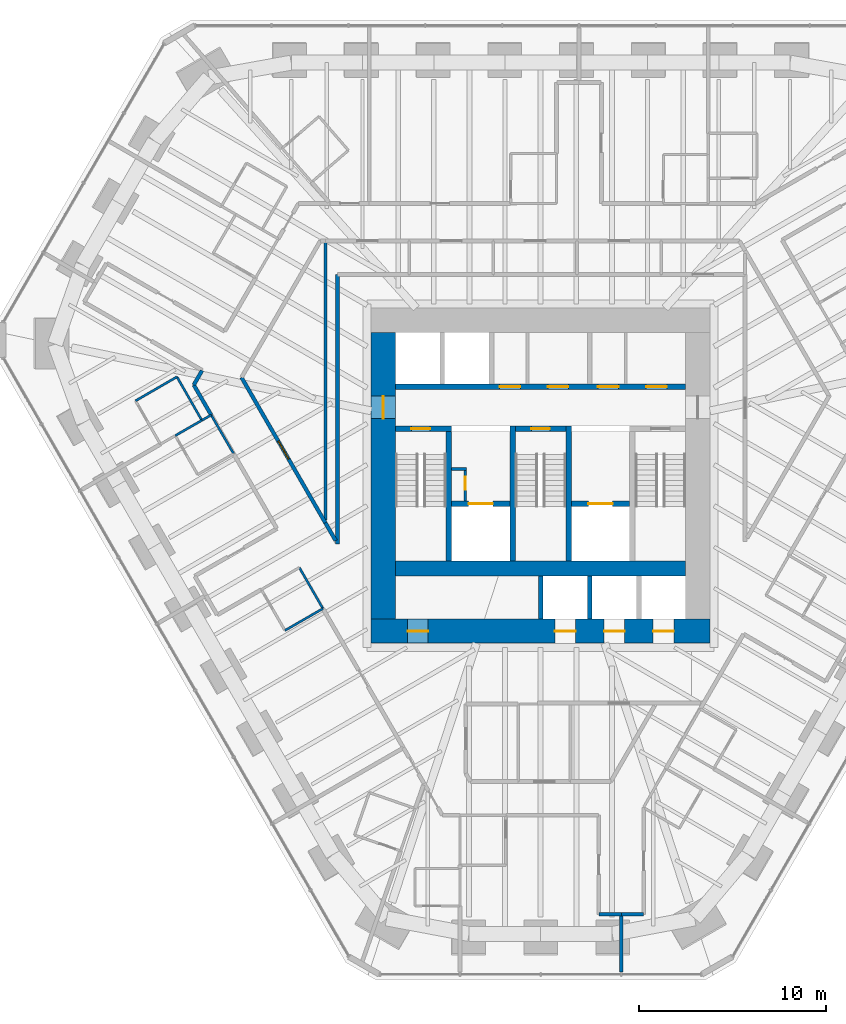
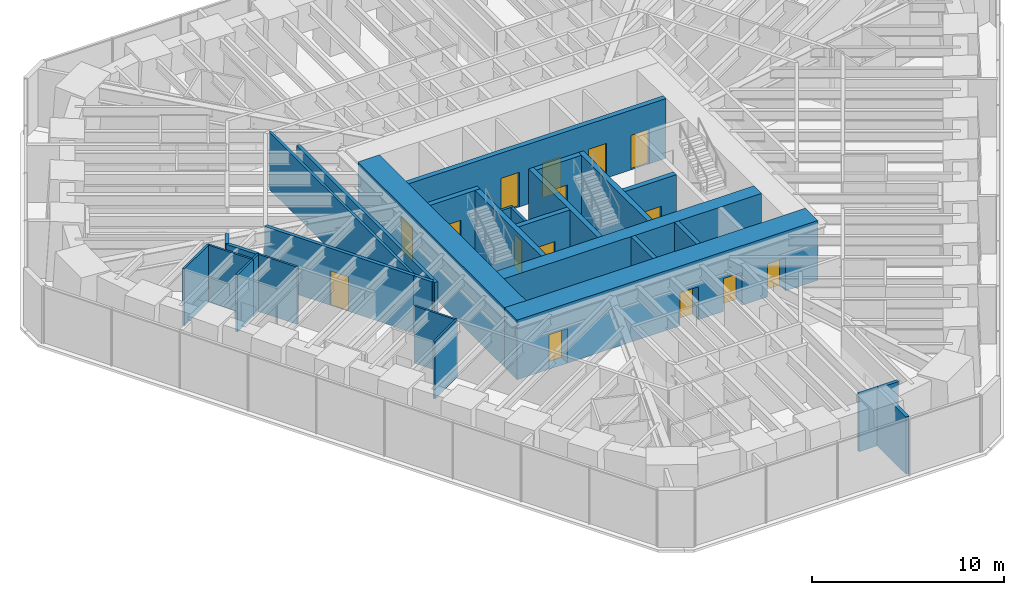
# One storey, part 12 of 17: 31 walls, 15 doors, 15 openings.
"""IFC4 building model written with IfcOpenShell, lengths in metres."""

from ifc_helpers import new_model, si_unit, direction, frame, frame_2d, origin, place, context, subcontext, project, spatial, rectangle, extrude, material, layer, layer_set, type_object, element, fill, save


model = new_model("IFC4")

# Units and contexts
model_context = context("Model", 3, precision=1e-05, world=origin(), true_north=direction((0.0, 1.0)))
body_context = subcontext(model_context, "Body", "Model", "MODEL_VIEW")
ifc_project = project(units=[si_unit("LENGTHUNIT", "METRE"), si_unit("AREAUNIT", "SQUARE_METRE"), si_unit("VOLUMEUNIT", "CUBIC_METRE"), si_unit("PLANEANGLEUNIT", "RADIAN"), si_unit("MASSUNIT", "GRAM", prefix="KILO")], contexts=[model_context])

# Site, building, storey
site_placement = place(None, origin())
site = spatial("IfcSite", under=ifc_project, at=site_placement, CompositionType="ELEMENT")
building_placement = place(site_placement, origin())
building = spatial("IfcBuilding", under=site, at=building_placement, Name="Sandreach Pilgrim Tower", CompositionType="ELEMENT")
storey_placement = place(building_placement, frame((0.0, 0.0, 161.39990234375)))
storey = spatial("IfcBuildingStorey", under=building, at=storey_placement, Name="L40", CompositionType="ELEMENT", Elevation=161.39990234375)

# Walls
ifc_material_1 = material(Name="Gypsum board on steel studs", Category="steel")
ifc_layer_1 = layer(ifc_material_1, 0.14990234375)
ifc_layer_set_1 = layer_set([ifc_layer_1], Name="Back of house wall 150")
wall_type_1 = type_object("IfcWallType", Name="Back of house wall 150", PredefinedType="PARTITIONING", material=ifc_layer_set_1)
wall_1_placement = place(storey_placement, frame((-11.5, 10.989990234375, 0.0), z_axis=(0.0, 0.0, 1.0), x_axis=(0.0, -1.0, 0.0)))
element("IfcWall", 1, at=wall_1_placement, inside=storey, type_object=wall_type_1, Name="Back of house wall L40-050", PredefinedType="PARTITIONING", context=body_context, shape_type="SweptSolid", body=[
    extrude(rectangle(XDim=14.905029296875, YDim=0.14990234375, at=frame_2d((7.45263671875, 0.0))), origin(), (0.0, 0.0, 1.0), 3.64013671875),
])
ifc_material_2 = material(Name="Moisture-resistant gypsum board on steel studs", Category="steel")
ifc_layer_2 = layer(ifc_material_2, 0.1201171875)
ifc_layer_set_2 = layer_set([ifc_layer_2], Name="Bathroom partition 120")
wall_type_2 = type_object("IfcWallType", Name="Bathroom partition 120", PredefinedType="PARTITIONING", material=ifc_layer_set_2)
wall_2_placement = place(storey_placement, frame((-19.52001953125, 0.590087890625, 0.0), z_axis=(0.0, 0.0, 1.0), x_axis=(0.86741733639, 0.49758131449, 0.0)))
element("IfcWall", 2, at=wall_2_placement, inside=storey, type_object=wall_type_2, Name="Bathroom partition L40-011", PredefinedType="PARTITIONING", context=body_context, shape_type="SweptSolid", body=[
    extrude(rectangle(XDim=1.6396484375, YDim=0.1201171875, at=frame_2d((0.81982421875, 0.0))), origin(), (0.0, 0.0, 1.0), 3.64013671875),
])
wall_3_placement = place(storey_placement, frame((-19.429931640625, 3.72998046875, 0.0), z_axis=(0.0, 0.0, 1.0), x_axis=(-0.865328095335, -0.50120583339, 0.0)))
element("IfcWall", 3, at=wall_3_placement, inside=storey, type_object=wall_type_2, Name="Bathroom partition L40-012", PredefinedType="PARTITIONING", context=body_context, shape_type="SweptSolid", body=[
    extrude(rectangle(XDim=2.553955078125, YDim=0.1201171875, at=frame_2d((1.27685546875, 0.0))), origin(), (0.0, 0.0, 1.0), 3.64013671875),
])
wall_4_placement = place(storey_placement, frame((-18.10009765625, 1.409912109375, 0.0), z_axis=(0.0, 0.0, 1.0), x_axis=(-0.497288831399, 0.867585049529, 0.0)))
element("IfcWall", 4, at=wall_4_placement, inside=storey, type_object=wall_type_2, Name="Bathroom partition L40-017", PredefinedType="PARTITIONING", context=body_context, shape_type="SweptSolid", body=[
    extrude(rectangle(XDim=2.674072265625, YDim=0.1201171875, at=frame_2d((1.3369140625, 0.0))), origin(), (0.0, 0.0, 1.0), 3.64013671875),
])
wall_5_placement = place(storey_placement, frame((-18.09765625, 1.406005859375, 0.0), z_axis=(0.0, 0.0, 1.0), x_axis=(0.86863611018, 0.495450611152, 0.0)))
element("IfcWall", 5, at=wall_5_placement, inside=storey, type_object=wall_type_2, Name="Bathroom partition L40-018", PredefinedType="PARTITIONING", context=body_context, shape_type="SweptSolid", body=[
    extrude(rectangle(XDim=0.572998046875, YDim=0.1201171875, at=frame_2d((0.28662109375, 0.0))), origin(), (0.0, 0.0, 1.0), 3.64013671875),
])
wall_6_placement = place(storey_placement, frame((-17.60009765625, 1.68994140625, 0.0), z_axis=(0.0, 0.0, 1.0), x_axis=(0.501623408317, -0.865086097581, 0.0)))
element("IfcWall", 6, at=wall_6_placement, inside=storey, type_object=wall_type_2, Name="Bathroom partition L40-021", PredefinedType="PARTITIONING", context=body_context, shape_type="SweptSolid", body=[
    extrude(rectangle(XDim=2.392578125, YDim=0.1201171875, at=frame_2d((1.1962890625, 0.0))), origin(), (0.0, 0.0, 1.0), 3.64013671875),
])
wall_7_placement = place(storey_placement, frame((-13.659912109375, -9.820068359375, 0.0), z_axis=(0.0, 0.0, 1.0), x_axis=(0.866345142729, 0.499445786517, 0.0)))
element("IfcWall", 7, at=wall_7_placement, inside=storey, type_object=wall_type_2, Name="Bathroom partition L40-040", PredefinedType="PARTITIONING", context=body_context, shape_type="SweptSolid", body=[
    extrude(rectangle(XDim=2.343017578125, YDim=0.1201171875, at=frame_2d((1.17138671875, 0.0))), origin(), (0.0, 0.0, 1.0), 3.64013671875),
])
wall_8_placement = place(storey_placement, frame((-12.889892578125, -6.4599609375, 0.0), z_axis=(0.0, 0.0, 1.0), x_axis=(0.498707120669, -0.866770562372, 0.0)))
element("IfcWall", 8, at=wall_8_placement, inside=storey, type_object=wall_type_2, Name="Bathroom partition L40-043", PredefinedType="PARTITIONING", context=body_context, shape_type="SweptSolid", body=[
    extrude(rectangle(XDim=2.526611328125, YDim=0.1201171875, at=frame_2d((1.26318359375, 0.0))), origin(), (0.0, 0.0, 1.0), 3.64013671875),
])
ifc_material_3 = material(Name="Concrete 10000 psi", Category="concrete")
ifc_layer_3 = layer(ifc_material_3, 0.300048828125)
ifc_layer_set_3 = layer_set([ifc_layer_3], Name="Core inner wall 300")
wall_type_3 = type_object("IfcWallType", Name="Core inner wall 300", PredefinedType="SHEAR", material=ifc_layer_set_3)
for number, where, z_axis, x_axis, name in (
    (9, (-4.89990234375, -6.10009765625, 0.0), (0.0, 0.0, 1.0), (0.0, 1.0, 0.0), "Core wall I0 L40"),
    (10, (-1.5, -6.10009765625, 0.0), (0.0, 0.0, 1.0), (0.0, 1.0, 0.0), "Core wall I1 L40"),
    (11, (1.5, -6.10009765625, 0.0), (0.0, 0.0, 1.0), (0.0, 1.0, 0.0), "Core wall I2 L40"),
):
    element("IfcWall", number, at=place(storey_placement, frame(where, z_axis=z_axis, x_axis=x_axis)), inside=storey, type_object=wall_type_3, Name=name, PredefinedType="SHEAR", context=body_context, shape_type="SweptSolid", body=[
        extrude(rectangle(XDim=7.2001953125, YDim=0.300048828125, at=frame_2d((3.60009765625, 0.0))), origin(), (0.0, 0.0, 1.0), 3.800048828125),
    ])

# Wall, opening, door
wall_9_placement = place(storey_placement, frame((-7.75, 0.949951171875, 0.0), z_axis=(0.0, 0.0, 1.0), x_axis=(1.0, 0.0, 0.0)))
wall_9 = element("IfcWall", 12, at=wall_9_placement, inside=storey, type_object=wall_type_3, Name="Core wall SN1 L40", PredefinedType="SHEAR", context=body_context, shape_type="SweptSolid", body=[
    extrude(rectangle(XDim=3.0, YDim=0.300048828125, at=frame_2d((1.5, 0.0))), origin(), (0.0, 0.0, 1.0), 3.800048828125),
])
opening_1_placement = place(wall_9_placement, frame((0.85009765625, 0.0, 0.0)))
opening_1 = element("IfcOpeningElement", 13, at=opening_1_placement, cuts=wall_9, Name="Opening D10S-ST1", PredefinedType="OPENING", context=body_context, shape_type="SweptSolid", body=[
    extrude(rectangle(XDim=1.0, YDim=2.199951171875, at=frame_2d((0.5, 1.10009765625))), frame((0.0, 0.14990234375, 0.0), z_axis=(0.0, -1.0, 0.0), x_axis=(1.0, 0.0, 0.0)), (0.0, 0.0, 1.0), 0.300048828125),
])
ifc_material_4 = material(Name="Steel door and frame", Category="steel")
door_type_1 = type_object("IfcDoorType", Name="Stair door", OperationType="SINGLE_SWING_LEFT", PredefinedType="DOOR", material=ifc_material_4)
door_1_placement = place(opening_1_placement, origin())
door_1 = element("IfcDoor", 14, at=door_1_placement, inside=storey, type_object=door_type_1, Name="Stair door ST1 L40", OperationType="SINGLE_SWING_LEFT", OverallHeight=2.199951171875, OverallWidth=1.0, PredefinedType="DOOR", context=body_context, shape_type="SweptSolid", body=[
    extrude(rectangle(XDim=1.0, YDim=2.199951171875, at=frame_2d((0.5, 1.10009765625))), frame((0.0, 0.02490234375, 0.0), z_axis=(0.0, -1.0, 0.0), x_axis=(1.0, 0.0, 0.0)), (0.0, 0.0, 1.0), 0.050048828125),
])
fill(opening_1, door_1)

wall_10_placement = place(storey_placement, frame((-1.35009765625, 0.949951171875, 0.0), z_axis=(0.0, 0.0, 1.0), x_axis=(1.0, 0.0, 0.0)))
wall_10 = element("IfcWall", 15, at=wall_10_placement, inside=storey, type_object=wall_type_3, Name="Core wall SN3 L40", PredefinedType="SHEAR", context=body_context, shape_type="SweptSolid", body=[
    extrude(rectangle(XDim=2.7001953125, YDim=0.300048828125, at=frame_2d((1.35009765625, 0.0))), origin(), (0.0, 0.0, 1.0), 3.800048828125),
])
opening_2_placement = place(wall_10_placement, frame((0.85009765625, 0.0, 0.0)))
opening_2 = element("IfcOpeningElement", 16, at=opening_2_placement, cuts=wall_10, Name="Opening D10S-ST3", PredefinedType="OPENING", context=body_context, shape_type="SweptSolid", body=[
    extrude(rectangle(XDim=1.0, YDim=2.199951171875, at=frame_2d((0.5, 1.10009765625))), frame((0.0, 0.14990234375, 0.0), z_axis=(0.0, -1.0, 0.0), x_axis=(1.0, 0.0, 0.0)), (0.0, 0.0, 1.0), 0.300048828125),
])
door_2_placement = place(opening_2_placement, origin())
door_2 = element("IfcDoor", 17, at=door_2_placement, inside=storey, type_object=door_type_1, Name="Stair door ST3 L40", OperationType="SINGLE_SWING_LEFT", OverallHeight=2.199951171875, OverallWidth=1.0, PredefinedType="DOOR", context=body_context, shape_type="SweptSolid", body=[
    extrude(rectangle(XDim=1.0, YDim=2.199951171875, at=frame_2d((0.5, 1.10009765625))), frame((0.0, 0.02490234375, 0.0), z_axis=(0.0, -1.0, 0.0), x_axis=(1.0, 0.0, 0.0)), (0.0, 0.0, 1.0), 0.050048828125),
])
fill(opening_2, door_2)

wall_11_placement = place(storey_placement, frame((-4.75, -3.050048828125, 0.0), z_axis=(0.0, 0.0, 1.0), x_axis=(1.0, 0.0, 0.0)))
wall_11 = element("IfcWall", 18, at=wall_11_placement, inside=storey, type_object=wall_type_3, Name="Core wall FL1 L40", PredefinedType="SHEAR", context=body_context, shape_type="SweptSolid", body=[
    extrude(rectangle(XDim=3.10009765625, YDim=0.300048828125, at=frame_2d((1.550048828125, 0.0))), origin(), (0.0, 0.0, 1.0), 3.800048828125),
])
opening_3_placement = place(wall_11_placement, frame((0.89990234375, 0.0, 0.0)))
opening_3 = element("IfcOpeningElement", 19, at=opening_3_placement, cuts=wall_11, Name="Opening LD13", PredefinedType="OPENING", context=body_context, shape_type="SweptSolid", body=[
    extrude(rectangle(XDim=1.300048828125, YDim=2.10009765625, at=frame_2d((0.64990234375, 1.050048828125))), frame((0.0, 0.14990234375, 0.0), z_axis=(0.0, -1.0, 0.0), x_axis=(1.0, 0.0, 0.0)), (0.0, 0.0, 1.0), 0.300048828125),
])
ifc_material_5 = material(Name="Steel door and frame", Category="steel")
door_type_2 = type_object("IfcDoorType", Name="Fire service lift landing door", OperationType="DOUBLE_DOOR_SLIDING", PredefinedType="DOOR", material=ifc_material_5)
door_3_placement = place(opening_3_placement, origin())
door_3 = element("IfcDoor", 20, at=door_3_placement, inside=storey, type_object=door_type_2, Name="Lift landing door FS1 L40", OperationType="DOUBLE_DOOR_SLIDING", OverallHeight=2.10009765625, OverallWidth=1.300048828125, PredefinedType="DOOR", context=body_context, shape_type="SweptSolid", body=[
    extrude(rectangle(XDim=1.300048828125, YDim=2.10009765625, at=frame_2d((0.64990234375, 1.050048828125))), frame((0.0, 0.02490234375, 0.0), z_axis=(0.0, -1.0, 0.0), x_axis=(1.0, 0.0, 0.0)), (0.0, 0.0, 1.0), 0.050048828125),
])
fill(opening_3, door_3)

wall_12_placement = place(storey_placement, frame((1.64990234375, -3.050048828125, 0.0), z_axis=(0.0, 0.0, 1.0), x_axis=(1.0, 0.0, 0.0)))
wall_12 = element("IfcWall", 21, at=wall_12_placement, inside=storey, type_object=wall_type_3, Name="Core wall FL2 L40", PredefinedType="SHEAR", context=body_context, shape_type="SweptSolid", body=[
    extrude(rectangle(XDim=3.10009765625, YDim=0.300048828125, at=frame_2d((1.550048828125, 0.0))), origin(), (0.0, 0.0, 1.0), 3.800048828125),
])
opening_4_placement = place(wall_12_placement, frame((0.89990234375, 0.0, 0.0)))
opening_4 = element("IfcOpeningElement", 22, at=opening_4_placement, cuts=wall_12, Name="Opening LD13", PredefinedType="OPENING", context=body_context, shape_type="SweptSolid", body=[
    extrude(rectangle(XDim=1.300048828125, YDim=2.10009765625, at=frame_2d((0.64990234375, 1.050048828125))), frame((0.0, 0.14990234375, 0.0), z_axis=(0.0, -1.0, 0.0), x_axis=(1.0, 0.0, 0.0)), (0.0, 0.0, 1.0), 0.300048828125),
])
door_4_placement = place(opening_4_placement, origin())
door_4 = element("IfcDoor", 23, at=door_4_placement, inside=storey, type_object=door_type_2, Name="Lift landing door FS2 L40", OperationType="DOUBLE_DOOR_SLIDING", OverallHeight=2.10009765625, OverallWidth=1.300048828125, PredefinedType="DOOR", context=body_context, shape_type="SweptSolid", body=[
    extrude(rectangle(XDim=1.300048828125, YDim=2.10009765625, at=frame_2d((0.64990234375, 1.050048828125))), frame((0.0, 0.02490234375, 0.0), z_axis=(0.0, -1.0, 0.0), x_axis=(1.0, 0.0, 0.0)), (0.0, 0.0, 1.0), 0.050048828125),
])
fill(opening_4, door_4)

# Wall, openings, doors
wall_13_placement = place(storey_placement, frame((-7.75, 3.199951171875, 0.0), z_axis=(0.0, 0.0, 1.0), x_axis=(1.0, 0.0, 0.0)))
wall_13 = element("IfcWall", 24, at=wall_13_placement, inside=storey, type_object=wall_type_3, Name="Core wall PN L40", PredefinedType="SHEAR", context=body_context, shape_type="SweptSolid", body=[
    extrude(rectangle(XDim=15.5, YDim=0.300048828125, at=frame_2d((7.75, 0.0))), origin(), (0.0, 0.0, 1.0), 3.800048828125),
])
opening_5_placement = place(wall_13_placement, frame((5.5625, 0.0, 0.0)))
opening_5 = element("IfcOpeningElement", 25, at=opening_5_placement, cuts=wall_13, Name="Opening D11L", PredefinedType="OPENING", context=body_context, shape_type="SweptSolid", body=[
    extrude(rectangle(XDim=1.10009765625, YDim=2.199951171875, at=frame_2d((0.550048828125, 1.10009765625))), frame((0.0, 0.14990234375, 0.0), z_axis=(0.0, -1.0, 0.0), x_axis=(1.0, 0.0, 0.0)), (0.0, 0.0, 1.0), 0.300048828125),
])
opening_6_placement = place(wall_13_placement, frame((8.137451171875, 0.0, 0.0)))
opening_6 = element("IfcOpeningElement", 26, at=opening_6_placement, cuts=wall_13, Name="Opening D11L", PredefinedType="OPENING", context=body_context, shape_type="SweptSolid", body=[
    extrude(rectangle(XDim=1.10009765625, YDim=2.199951171875, at=frame_2d((0.550048828125, 1.10009765625))), frame((0.0, 0.14990234375, 0.0), z_axis=(0.0, -1.0, 0.0), x_axis=(1.0, 0.0, 0.0)), (0.0, 0.0, 1.0), 0.300048828125),
])
opening_7_placement = place(wall_13_placement, frame((10.8125, 0.0, 0.0)))
opening_7 = element("IfcOpeningElement", 27, at=opening_7_placement, cuts=wall_13, Name="Opening D11L", PredefinedType="OPENING", context=body_context, shape_type="SweptSolid", body=[
    extrude(rectangle(XDim=1.10009765625, YDim=2.199951171875, at=frame_2d((0.550048828125, 1.10009765625))), frame((0.0, 0.14990234375, 0.0), z_axis=(0.0, -1.0, 0.0), x_axis=(1.0, 0.0, 0.0)), (0.0, 0.0, 1.0), 0.300048828125),
])
opening_8_placement = place(wall_13_placement, frame((13.387451171875, 0.0, 0.0)))
opening_8 = element("IfcOpeningElement", 28, at=opening_8_placement, cuts=wall_13, Name="Opening D11L", PredefinedType="OPENING", context=body_context, shape_type="SweptSolid", body=[
    extrude(rectangle(XDim=1.10009765625, YDim=2.199951171875, at=frame_2d((0.550048828125, 1.10009765625))), frame((0.0, 0.14990234375, 0.0), z_axis=(0.0, -1.0, 0.0), x_axis=(1.0, 0.0, 0.0)), (0.0, 0.0, 1.0), 0.300048828125),
])
ifc_material_6 = material(Name="Steel door and frame, smoke seals", Category="steel")
door_type_3 = type_object("IfcDoorType", Name="Core room door", OperationType="SINGLE_SWING_LEFT", PredefinedType="DOOR", material=ifc_material_6)
door_5_placement = place(opening_5_placement, origin())
door_5 = element("IfcDoor", 29, at=door_5_placement, inside=storey, type_object=door_type_3, Name="Door guest pantry 40K1", OperationType="SINGLE_SWING_LEFT", OverallHeight=2.199951171875, OverallWidth=1.10009765625, PredefinedType="DOOR", context=body_context, shape_type="SweptSolid", body=[
    extrude(rectangle(XDim=1.10009765625, YDim=2.199951171875, at=frame_2d((0.550048828125, 1.10009765625))), frame((0.0, 0.02490234375, 0.0), z_axis=(0.0, -1.0, 0.0), x_axis=(1.0, 0.0, 0.0)), (0.0, 0.0, 1.0), 0.050048828125),
])
fill(opening_5, door_5)
door_6_placement = place(opening_6_placement, origin())
door_6 = element("IfcDoor", 30, at=door_6_placement, inside=storey, type_object=door_type_3, Name="Door vending and ice room 40K2", OperationType="SINGLE_SWING_RIGHT", OverallHeight=2.199951171875, OverallWidth=1.10009765625, PredefinedType="DOOR", context=body_context, shape_type="SweptSolid", body=[
    extrude(rectangle(XDim=1.10009765625, YDim=2.199951171875, at=frame_2d((0.550048828125, 1.10009765625))), frame((0.0, 0.02490234375, 0.0), z_axis=(0.0, -1.0, 0.0), x_axis=(1.0, 0.0, 0.0)), (0.0, 0.0, 1.0), 0.050048828125),
])
fill(opening_6, door_6)
door_7_placement = place(opening_7_placement, origin())
door_7 = element("IfcDoor", 31, at=door_7_placement, inside=storey, type_object=door_type_3, Name="Door it room 40K3", OperationType="SINGLE_SWING_RIGHT", OverallHeight=2.199951171875, OverallWidth=1.10009765625, PredefinedType="DOOR", context=body_context, shape_type="SweptSolid", body=[
    extrude(rectangle(XDim=1.10009765625, YDim=2.199951171875, at=frame_2d((0.550048828125, 1.10009765625))), frame((0.0, 0.02490234375, 0.0), z_axis=(0.0, -1.0, 0.0), x_axis=(1.0, 0.0, 0.0)), (0.0, 0.0, 1.0), 0.050048828125),
])
fill(opening_7, door_7)
door_8_placement = place(opening_8_placement, origin())
door_8 = element("IfcDoor", 32, at=door_8_placement, inside=storey, type_object=door_type_3, Name="Door refuse room 40K4", OperationType="SINGLE_SWING_RIGHT", OverallHeight=2.199951171875, OverallWidth=1.10009765625, PredefinedType="DOOR", context=body_context, shape_type="SweptSolid", body=[
    extrude(rectangle(XDim=1.10009765625, YDim=2.199951171875, at=frame_2d((0.550048828125, 1.10009765625))), frame((0.0, 0.02490234375, 0.0), z_axis=(0.0, -1.0, 0.0), x_axis=(1.0, 0.0, 0.0)), (0.0, 0.0, 1.0), 0.050048828125),
])
fill(opening_8, door_8)

# Wall
ifc_material_7 = material(Name="Concrete 10000 psi", Category="concrete")
ifc_layer_4 = layer(ifc_material_7, 0.800048828125)
ifc_layer_set_4 = layer_set([ifc_layer_4], Name="Core mid wall 800")
wall_type_4 = type_object("IfcWallType", Name="Core mid wall 800", PredefinedType="SHEAR", material=ifc_layer_set_4)
wall_14_placement = place(storey_placement, frame((-7.75, -6.5, 0.0), z_axis=(0.0, 0.0, 1.0), x_axis=(1.0, 0.0, 0.0)))
element("IfcWall", 33, at=wall_14_placement, inside=storey, type_object=wall_type_4, Name="Core wall M L40", PredefinedType="SHEAR", context=body_context, shape_type="SweptSolid", body=[
    extrude(rectangle(XDim=15.5, YDim=0.800048828125, at=frame_2d((7.75, 0.0))), origin(), (0.0, 0.0, 1.0), 3.800048828125),
])

# Wall, openings, doors
ifc_material_8 = material(Name="Concrete 10000 psi", Category="concrete")
ifc_layer_5 = layer(ifc_material_8, 1.300048828125)
ifc_layer_set_5 = layer_set([ifc_layer_5], Name="Core wall 1300")
wall_type_5 = type_object("IfcWallType", Name="Core wall 1300", PredefinedType="SHEAR", material=ifc_layer_set_5)
wall_15_placement = place(storey_placement, frame((-9.050048828125, -9.85009765625, 0.0), z_axis=(0.0, 0.0, 1.0), x_axis=(1.0, 0.0, 0.0)))
wall_15 = element("IfcWall", 34, at=wall_15_placement, inside=storey, type_object=wall_type_5, Name="Core wall S L40", PredefinedType="SHEAR", context=body_context, shape_type="SweptSolid", body=[
    extrude(rectangle(XDim=18.10009765625, YDim=1.300048828125, at=frame_2d((9.050048828125, 0.0))), origin(), (0.0, 0.0, 1.0), 3.800048828125),
])
opening_9_placement = place(wall_15_placement, frame((1.9375, 0.0, 0.0)))
opening_9 = element("IfcOpeningElement", 35, at=opening_9_placement, cuts=wall_15, Name="Opening D11H", PredefinedType="OPENING", context=body_context, shape_type="SweptSolid", body=[
    extrude(rectangle(XDim=1.10009765625, YDim=2.199951171875, at=frame_2d((0.550048828125, 1.10009765625))), frame((0.0, 0.64990234375, 0.0), z_axis=(0.0, -1.0, 0.0), x_axis=(1.0, 0.0, 0.0)), (0.0, 0.0, 1.0), 1.300048828125),
])
opening_10_placement = place(wall_15_placement, frame((9.8125, 0.0, 0.0)))
opening_10 = element("IfcOpeningElement", 36, at=opening_10_placement, cuts=wall_15, Name="Opening LD11", PredefinedType="OPENING", context=body_context, shape_type="SweptSolid", body=[
    extrude(rectangle(XDim=1.10009765625, YDim=2.10009765625, at=frame_2d((0.550048828125, 1.050048828125))), frame((0.0, 0.64990234375, 0.0), z_axis=(0.0, -1.0, 0.0), x_axis=(1.0, 0.0, 0.0)), (0.0, 0.0, 1.0), 1.300048828125),
])
opening_11_placement = place(wall_15_placement, frame((12.4375, 0.0, 0.0)))
opening_11 = element("IfcOpeningElement", 37, at=opening_11_placement, cuts=wall_15, Name="Opening LD11", PredefinedType="OPENING", context=body_context, shape_type="SweptSolid", body=[
    extrude(rectangle(XDim=1.10009765625, YDim=2.10009765625, at=frame_2d((0.550048828125, 1.050048828125))), frame((0.0, 0.64990234375, 0.0), z_axis=(0.0, -1.0, 0.0), x_axis=(1.0, 0.0, 0.0)), (0.0, 0.0, 1.0), 1.300048828125),
])
opening_12_placement = place(wall_15_placement, frame((15.0625, 0.0, 0.0)))
opening_12 = element("IfcOpeningElement", 38, at=opening_12_placement, cuts=wall_15, Name="Opening LD11", PredefinedType="OPENING", context=body_context, shape_type="SweptSolid", body=[
    extrude(rectangle(XDim=1.10009765625, YDim=2.10009765625, at=frame_2d((0.550048828125, 1.050048828125))), frame((0.0, 0.64990234375, 0.0), z_axis=(0.0, -1.0, 0.0), x_axis=(1.0, 0.0, 0.0)), (0.0, 0.0, 1.0), 1.300048828125),
])
ifc_material_9 = material(Name="Steel door and frame", Category="steel")
door_type_4 = type_object("IfcDoorType", Name="Back of house door", OperationType="SINGLE_SWING_LEFT", PredefinedType="DOOR", material=ifc_material_9)
door_9_placement = place(opening_9_placement, origin())
door_9 = element("IfcDoor", 39, at=door_9_placement, inside=storey, type_object=door_type_4, Name="Door staff room 40K5", OperationType="SINGLE_SWING_LEFT", OverallHeight=2.199951171875, OverallWidth=1.10009765625, PredefinedType="DOOR", context=body_context, shape_type="SweptSolid", body=[
    extrude(rectangle(XDim=1.10009765625, YDim=2.199951171875, at=frame_2d((0.550048828125, 1.10009765625))), frame((0.0, 0.02490234375, 0.0), z_axis=(0.0, -1.0, 0.0), x_axis=(1.0, 0.0, 0.0)), (0.0, 0.0, 1.0), 0.050048828125),
])
fill(opening_9, door_9)
ifc_material_10 = material(Name="Steel door and frame", Category="steel")
door_type_5 = type_object("IfcDoorType", Name="Lift landing door", OperationType="DOUBLE_DOOR_SLIDING", PredefinedType="DOOR", material=ifc_material_10)
door_10_placement = place(opening_10_placement, origin())
door_10 = element("IfcDoor", 40, at=door_10_placement, inside=storey, type_object=door_type_5, Name="Lift landing door Z2A L40", OperationType="DOUBLE_DOOR_SLIDING", OverallHeight=2.10009765625, OverallWidth=1.10009765625, PredefinedType="DOOR", context=body_context, shape_type="SweptSolid", body=[
    extrude(rectangle(XDim=1.10009765625, YDim=2.10009765625, at=frame_2d((0.550048828125, 1.050048828125))), frame((0.0, 0.02490234375, 0.0), z_axis=(0.0, -1.0, 0.0), x_axis=(1.0, 0.0, 0.0)), (0.0, 0.0, 1.0), 0.050048828125),
])
fill(opening_10, door_10)
door_11_placement = place(opening_11_placement, origin())
door_11 = element("IfcDoor", 41, at=door_11_placement, inside=storey, type_object=door_type_5, Name="Lift landing door Z2B L40", OperationType="DOUBLE_DOOR_SLIDING", OverallHeight=2.10009765625, OverallWidth=1.10009765625, PredefinedType="DOOR", context=body_context, shape_type="SweptSolid", body=[
    extrude(rectangle(XDim=1.10009765625, YDim=2.10009765625, at=frame_2d((0.550048828125, 1.050048828125))), frame((0.0, 0.02490234375, 0.0), z_axis=(0.0, -1.0, 0.0), x_axis=(1.0, 0.0, 0.0)), (0.0, 0.0, 1.0), 0.050048828125),
])
fill(opening_11, door_11)
door_12_placement = place(opening_12_placement, origin())
door_12 = element("IfcDoor", 42, at=door_12_placement, inside=storey, type_object=door_type_5, Name="Lift landing door Z2C L40", OperationType="DOUBLE_DOOR_SLIDING", OverallHeight=2.10009765625, OverallWidth=1.10009765625, PredefinedType="DOOR", context=body_context, shape_type="SweptSolid", body=[
    extrude(rectangle(XDim=1.10009765625, YDim=2.10009765625, at=frame_2d((0.550048828125, 1.050048828125))), frame((0.0, 0.02490234375, 0.0), z_axis=(0.0, -1.0, 0.0), x_axis=(1.0, 0.0, 0.0)), (0.0, 0.0, 1.0), 0.050048828125),
])
fill(opening_12, door_12)

# Wall, opening, door
wall_16_placement = place(storey_placement, frame((-8.39990234375, -9.199951171875, 0.0), z_axis=(0.0, 0.0, 1.0), x_axis=(0.0, 1.0, 0.0)))
wall_16 = element("IfcWall", 43, at=wall_16_placement, inside=storey, type_object=wall_type_5, Name="Core wall W L40", PredefinedType="SHEAR", context=body_context, shape_type="SweptSolid", body=[
    extrude(rectangle(XDim=15.300048828125, YDim=1.300048828125, at=frame_2d((7.64990234375, 0.0))), origin(), (0.0, 0.0, 1.0), 3.800048828125),
])
opening_13_placement = place(wall_16_placement, frame((10.699951171875, 0.0, 0.0)))
opening_13 = element("IfcOpeningElement", 44, at=opening_13_placement, cuts=wall_16, Name="Opening D12F-W", PredefinedType="OPENING", context=body_context, shape_type="SweptSolid", body=[
    extrude(rectangle(XDim=1.199951171875, YDim=2.199951171875, at=frame_2d((0.60009765625, 1.10009765625))), frame((0.0, 0.64990234375, 0.0), z_axis=(0.0, -1.0, 0.0), x_axis=(1.0, 0.0, 0.0)), (0.0, 0.0, 1.0), 1.300048828125),
])
ifc_material_11 = material(Name="Steel door and frame", Category="steel")
door_type_6 = type_object("IfcDoorType", Name="Fire lobby door", OperationType="SINGLE_SWING_LEFT", PredefinedType="DOOR", material=ifc_material_11)
door_13_placement = place(opening_13_placement, origin())
door_13 = element("IfcDoor", 45, at=door_13_placement, inside=storey, type_object=door_type_6, Name="Fire service lobby door W L40", OperationType="SINGLE_SWING_RIGHT", OverallHeight=2.199951171875, OverallWidth=1.199951171875, PredefinedType="DOOR", context=body_context, shape_type="SweptSolid", body=[
    extrude(rectangle(XDim=1.199951171875, YDim=2.199951171875, at=frame_2d((0.60009765625, 1.10009765625))), frame((0.0, 0.02490234375, 0.0), z_axis=(0.0, -1.0, 0.0), x_axis=(1.0, 0.0, 0.0)), (0.0, 0.0, 1.0), 0.050048828125),
])
fill(opening_13, door_13)

# Walls
ifc_material_12 = material(Name="Gypsum board on steel studs, two layers each side", Category="steel")
ifc_layer_6 = layer(ifc_material_12, 0.199951171875)
ifc_layer_set_6 = layer_set([ifc_layer_6], Name="Corridor wall 200")
wall_type_6 = type_object("IfcWallType", Name="Corridor wall 200", PredefinedType="PARTITIONING", material=ifc_layer_set_6)
wall_17_placement = place(storey_placement, frame((-18.530029296875, 3.300048828125, 0.0), z_axis=(0.0, 0.0, 1.0), x_axis=(0.50013539823, -0.865947217466, 0.0)))
element("IfcWall", 46, at=wall_17_placement, inside=storey, type_object=wall_type_6, Name="Corridor wall L40-014", PredefinedType="PARTITIONING", context=body_context, shape_type="SweptSolid", body=[
    extrude(rectangle(XDim=1.859375, YDim=0.199951171875, at=frame_2d((0.9296875, 0.0))), origin(), (0.0, 0.0, 1.0), 3.64013671875),
])
wall_18_placement = place(storey_placement, frame((-18.08740234375, 4.06689453125, 0.0), z_axis=(0.0, 0.0, 1.0), x_axis=(-0.499905448813, -0.866079986056, 0.0)))
element("IfcWall", 47, at=wall_18_placement, inside=storey, type_object=wall_type_6, Name="Corridor wall L40-019", PredefinedType="PARTITIONING", context=body_context, shape_type="SweptSolid", body=[
    extrude(rectangle(XDim=0.885498046875, YDim=0.199951171875, at=frame_2d((0.44287109375, 0.0))), origin(), (0.0, 0.0, 1.0), 3.64013671875),
])

# Wall, opening, door
wall_19_placement = place(storey_placement, frame((-11.5, -4.070068359375, 0.0), z_axis=(0.0, 0.0, 1.0), x_axis=(-0.499494642712, 0.86631697542, 0.0)))
wall_19 = element("IfcWall", 48, at=wall_19_placement, inside=storey, type_object=wall_type_6, Name="Corridor wall L40-049", PredefinedType="PARTITIONING", context=body_context, shape_type="SweptSolid", body=[
    extrude(rectangle(XDim=8.968994140625, YDim=0.199951171875, at=frame_2d((4.484375, 0.0))), origin(), (0.0, 0.0, 1.0), 3.64013671875),
])
opening_14_placement = place(wall_19_placement, frame((3.9345703125, 0.0, 0.0)))
opening_14 = element("IfcOpeningElement", 49, at=opening_14_placement, cuts=wall_19, Name="Opening D11H-M01", PredefinedType="OPENING", context=body_context, shape_type="SweptSolid", body=[
    extrude(rectangle(XDim=1.10009765625, YDim=2.199951171875, at=frame_2d((0.550048828125, 1.10009765625))), frame((0.0, 0.10009765625, 0.0), z_axis=(0.0, -1.0, 0.0), x_axis=(1.0, 0.0, 0.0)), (0.0, 0.0, 1.0), 0.199951171875),
])
door_14_placement = place(opening_14_placement, origin())
door_14 = element("IfcDoor", 50, at=door_14_placement, inside=storey, type_object=door_type_4, Name="Door 40M01", OperationType="SINGLE_SWING_LEFT", OverallHeight=2.199951171875, OverallWidth=1.10009765625, PredefinedType="DOOR", context=body_context, shape_type="SweptSolid", body=[
    extrude(rectangle(XDim=1.10009765625, YDim=2.199951171875, at=frame_2d((0.550048828125, 1.10009765625))), frame((0.0, 0.02490234375, 0.0), z_axis=(0.0, -1.0, 0.0), x_axis=(1.0, 0.0, 0.0)), (0.0, 0.0, 1.0), 0.050048828125),
])
fill(opening_14, door_14)

# Walls
wall_20_placement = place(storey_placement, frame((-10.947998046875, -5.021240234375, 0.0), z_axis=(0.0, 0.0, 1.0), x_axis=(-0.501937347286, 0.864903982763, 0.0)))
element("IfcWall", 51, at=wall_20_placement, inside=storey, type_object=wall_type_6, Name="Corridor wall L40-053", PredefinedType="PARTITIONING", context=body_context, shape_type="SweptSolid", body=[
    extrude(rectangle(XDim=1.099853515625, YDim=0.199951171875, at=frame_2d((0.5498046875, 0.0))), origin(), (0.0, 0.0, 1.0), 3.64013671875),
])
wall_21_placement = place(storey_placement, frame((-10.85009765625, 9.199951171875, 0.0), z_axis=(0.0, 0.0, 1.0), x_axis=(0.0, -1.0, 0.0)))
element("IfcWall", 52, at=wall_21_placement, inside=storey, type_object=wall_type_6, Name="Corridor wall L40-054", PredefinedType="PARTITIONING", context=body_context, shape_type="SweptSolid", body=[
    extrude(rectangle(XDim=14.389892578125, YDim=0.199951171875, at=frame_2d((7.19482421875, 0.0))), origin(), (0.0, 0.0, 1.0), 3.64013671875),
])
wall_22_placement = place(storey_placement, frame((3.125, -24.97998046875, 0.0), z_axis=(0.0, 0.0, 1.0), x_axis=(1.0, 0.0, 0.0)))
element("IfcWall", 53, at=wall_22_placement, inside=storey, type_object=wall_type_6, Name="Corridor wall L40-104", PredefinedType="PARTITIONING", context=body_context, shape_type="SweptSolid", body=[
    extrude(rectangle(XDim=1.18505859375, YDim=0.199951171875, at=frame_2d((0.592529296875, 0.0))), origin(), (0.0, 0.0, 1.0), 3.64013671875),
])
wall_23_placement = place(storey_placement, frame((4.31005859375, -24.97998046875, 0.0), z_axis=(0.0, 0.0, 1.0), x_axis=(1.0, 0.0, 0.0)))
element("IfcWall", 54, at=wall_23_placement, inside=storey, type_object=wall_type_6, Name="Corridor wall L40-109", PredefinedType="PARTITIONING", context=body_context, shape_type="SweptSolid", body=[
    extrude(rectangle(XDim=1.18994140625, YDim=0.199951171875, at=frame_2d((0.594970703125, 0.0))), origin(), (0.0, 0.0, 1.0), 3.64013671875),
])
ifc_material_13 = material(Name="Double steel stud acoustic wall, gypsum board", Category="steel")
ifc_layer_7 = layer(ifc_material_13, 0.199951171875)
ifc_layer_set_7 = layer_set([ifc_layer_7], Name="Party wall 200")
wall_type_7 = type_object("IfcWallType", Name="Party wall 200", PredefinedType="PARTITIONING", material=ifc_layer_set_7)
wall_24_placement = place(storey_placement, frame((4.31005859375, -28.070068359375, 0.0), z_axis=(0.0, 0.0, 1.0), x_axis=(0.0, 1.0, 0.0)))
element("IfcWall", 55, at=wall_24_placement, inside=storey, type_object=wall_type_7, Name="Party wall L40-108", PredefinedType="PARTITIONING", context=body_context, shape_type="SweptSolid", body=[
    extrude(rectangle(XDim=3.080078125, YDim=0.199951171875, at=frame_2d((1.5400390625, 0.0))), origin(), (0.0, 0.0, 1.0), 3.64013671875),
])

# Wall, opening, door
ifc_material_14 = material(Name="Gypsum shaft wall on steel studs, shaft liner board", Category="steel")
ifc_layer_8 = layer(ifc_material_14, 0.14990234375)
ifc_layer_set_8 = layer_set([ifc_layer_8], Name="Riser shaft wall 150")
wall_type_8 = type_object("IfcWallType", Name="Riser shaft wall 150", PredefinedType="PARTITIONING", material=ifc_layer_set_8)
wall_25_placement = place(storey_placement, frame((-4.02490234375, -2.89990234375, 0.0), z_axis=(0.0, 0.0, 1.0), x_axis=(0.0, 1.0, 0.0)))
wall_25 = element("IfcWall", 56, at=wall_25_placement, inside=storey, type_object=wall_type_8, Name="Riser partition L40 side", PredefinedType="PARTITIONING", context=body_context, shape_type="SweptSolid", body=[
    extrude(rectangle(XDim=1.77490234375, YDim=0.14990234375, at=frame_2d((0.887451171875, 0.0))), origin(), (0.0, 0.0, 1.0), 3.64013671875),
])
opening_15_placement = place(wall_25_placement, frame((0.60009765625, 0.0, 0.0)))
opening_15 = element("IfcOpeningElement", 57, at=opening_15_placement, cuts=wall_25, Name="Opening D07R", PredefinedType="OPENING", context=body_context, shape_type="SweptSolid", body=[
    extrude(rectangle(XDim=0.699951171875, YDim=2.10009765625, at=frame_2d((0.35009765625, 1.050048828125))), frame((0.0, 0.074951171875, 0.0), z_axis=(0.0, -1.0, 0.0), x_axis=(1.0, 0.0, 0.0)), (0.0, 0.0, 1.0), 0.14990234375),
])
ifc_material_15 = material(Name="Steel door and frame, smoke seals", Category="steel")
door_type_7 = type_object("IfcDoorType", Name="Riser access door", OperationType="SINGLE_SWING_RIGHT", PredefinedType="DOOR", material=ifc_material_15)
door_15_placement = place(opening_15_placement, origin())
door_15 = element("IfcDoor", 58, at=door_15_placement, inside=storey, type_object=door_type_7, Name="Door riser 40ER", OperationType="SINGLE_SWING_RIGHT", OverallHeight=2.10009765625, OverallWidth=0.699951171875, PredefinedType="DOOR", context=body_context, shape_type="SweptSolid", body=[
    extrude(rectangle(XDim=0.699951171875, YDim=2.10009765625, at=frame_2d((0.35009765625, 1.050048828125))), frame((0.0, 0.02490234375, 0.0), z_axis=(0.0, -1.0, 0.0), x_axis=(1.0, 0.0, 0.0)), (0.0, 0.0, 1.0), 0.050048828125),
])
fill(opening_15, door_15)

# Walls
wall_26_placement = place(storey_placement, frame((-4.75, -1.199951171875, 0.0), z_axis=(0.0, 0.0, 1.0), x_axis=(1.0, 0.0, 0.0)))
element("IfcWall", 59, at=wall_26_placement, inside=storey, type_object=wall_type_8, Name="Riser partition L40 front", PredefinedType="PARTITIONING", context=body_context, shape_type="SweptSolid", body=[
    extrude(rectangle(XDim=0.800048828125, YDim=0.14990234375, at=frame_2d((0.39990234375, 0.0))), origin(), (0.0, 0.0, 1.0), 3.64013671875),
])
ifc_material_16 = material(Name="Gypsum shaft wall on steel studs, two layers of shaft liner board", Category="steel")
ifc_layer_9 = layer(ifc_material_16, 0.25)
ifc_layer_set_9 = layer_set([ifc_layer_9], Name="Shaft partition 250")
wall_type_9 = type_object("IfcWallType", Name="Shaft partition 250", PredefinedType="PARTITIONING", material=ifc_layer_set_9)
for number, where, z_axis, x_axis, name in (
    (60, (0.0, -9.199951171875, 0.0), (0.0, 0.0, 1.0), (0.0, 1.0, 0.0), "Shaft partition XS2 L40"),
    (61, (2.625, -9.199951171875, 0.0), (0.0, 0.0, 1.0), (0.0, 1.0, 0.0), "Shaft partition XS3 L40"),
):
    element("IfcWall", number, at=place(storey_placement, frame(where, z_axis=z_axis, x_axis=x_axis)), inside=storey, type_object=wall_type_9, Name=name, PredefinedType="PARTITIONING", context=body_context, shape_type="SweptSolid", body=[
        extrude(rectangle(XDim=2.300048828125, YDim=0.25, at=frame_2d((1.14990234375, 0.0))), origin(), (0.0, 0.0, 1.0), 3.800048828125),
    ])

save(model, "model.ifc")
